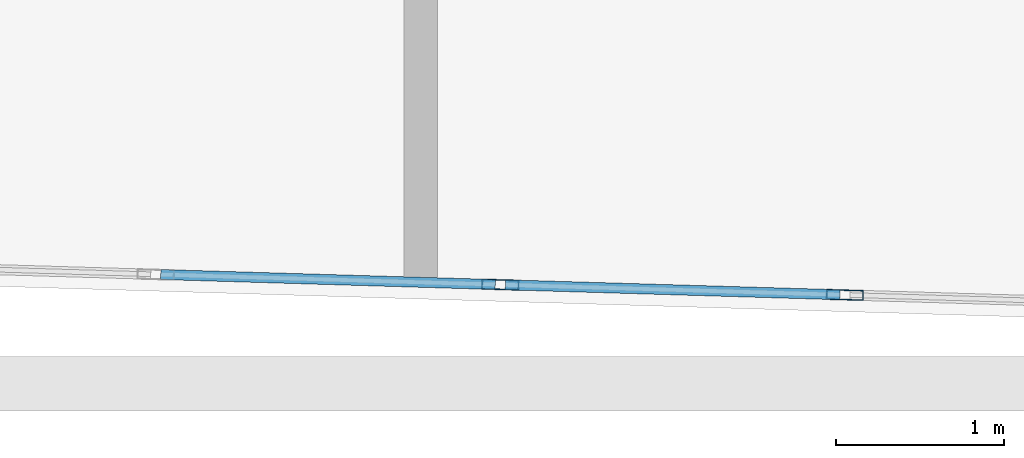
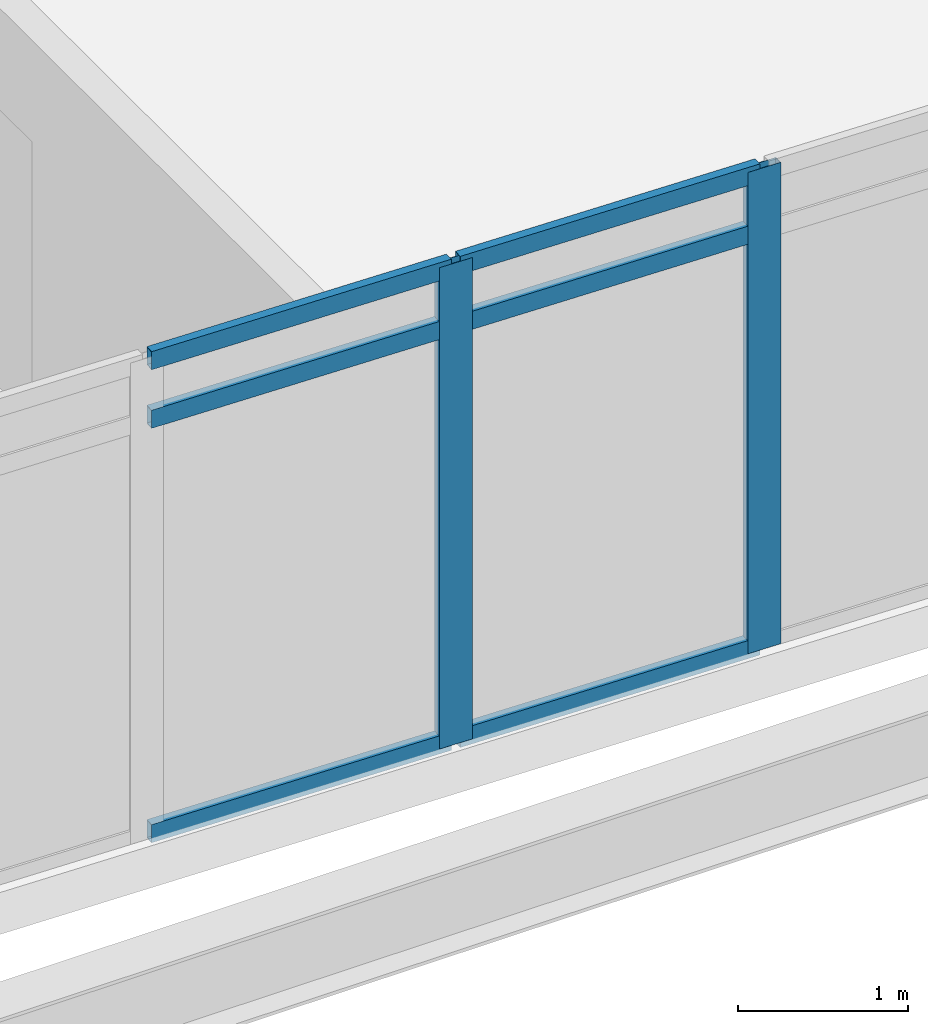
# One storey, part 3 of 28: 8 members, 1 element without a shape of its own.
"""IFC4 building model written with IfcOpenShell, lengths in metres."""

from ifc_helpers import new_model, si_unit, direction, frame, origin, origin_2d, place, context, subcontext, project, spatial, hollow_rectangle, extrude, material, material_profile, profile_set, type_object, element, aggregate, save


model = new_model("IFC4")

# Units and contexts
model_context = context("Model", 3, precision=1e-05, world=origin(), true_north=direction((0.0, 1.0)))
body_context = subcontext(model_context, "Body", "Model", "MODEL_VIEW")
ifc_project = project(units=[si_unit("LENGTHUNIT", "METRE"), si_unit("AREAUNIT", "SQUARE_METRE"), si_unit("VOLUMEUNIT", "CUBIC_METRE"), si_unit("PLANEANGLEUNIT", "RADIAN"), si_unit("MASSUNIT", "GRAM", prefix="KILO")], contexts=[model_context])

# Site, building, storey
site_placement = place(None, origin())
site = spatial("IfcSite", under=ifc_project, at=site_placement, CompositionType="ELEMENT")
building_placement = place(site_placement, origin())
building = spatial("IfcBuilding", under=site, at=building_placement, Name="Ostrander Bayou Hotel Tower", CompositionType="ELEMENT")
storey_placement = place(building_placement, frame((0.0, 0.0, 134.75)))
storey = spatial("IfcBuildingStorey", under=building, at=storey_placement, Name="L33", CompositionType="ELEMENT", Elevation=134.75)

# Curtain wall, members
ifc_material_1 = material(Name="Aluminium and clear glass", Category="aluminium")
curtain_wall_type = type_object("IfcCurtainWallType", Name="CW-BAR glazed wall", PredefinedType="NOTDEFINED", material=ifc_material_1)
curtain_wall_placement = place(storey_placement, origin())
curtain_wall = element("IfcCurtainWall", 1, at=curtain_wall_placement, inside=storey, type_object=curtain_wall_type, Name="CW-BAR L33:SB3S:T", PredefinedType="NOTDEFINED")
ifc_material_2 = material(Name="Aluminium", Category="aluminium")
ifc_material_profile_1 = material_profile(ifc_material_2, hollow_rectangle(XDim=0.06005859375, YDim=0.219970703125, WallThickness=0.00390625, at=origin_2d()))
ifc_profile_set_1 = profile_set([ifc_material_profile_1], Name="Aluminium")
member_type_1 = type_object("IfcMemberType", Name="CW-BR mullion 60 x 220 mm", PredefinedType="MULLION", material=ifc_profile_set_1)
member_1_placement = place(storey_placement, frame((-3.084716796875, -30.858154296875, 0.0), z_axis=(0.0, 0.0, 1.0), x_axis=(0.029746242041, 0.999557482631, 0.0)))
member_1 = element("IfcMember", 2, at=member_1_placement, type_object=member_type_1, Name="CW-BAR mullion 6", PredefinedType="MULLION", context=body_context, shape_type="SweptSolid", body=[
    extrude(hollow_rectangle(XDim=0.06005859375, YDim=0.219970703125, WallThickness=0.00390625, at=origin_2d()), origin(), (0.0, 0.0, 1.0), 3.449951171875),
])
member_2_placement = place(storey_placement, frame((-1.0283203125, -30.91943359375, 0.0), z_axis=(0.0, 0.0, 1.0), x_axis=(0.029746242041, 0.999557482631, 0.0)))
member_2 = element("IfcMember", 3, at=member_2_placement, type_object=member_type_1, Name="CW-BAR mullion 7", PredefinedType="MULLION", context=body_context, shape_type="SweptSolid", body=[
    extrude(hollow_rectangle(XDim=0.06005859375, YDim=0.219970703125, WallThickness=0.00390625, at=origin_2d()), origin(), (0.0, 0.0, 1.0), 3.449951171875),
])
ifc_material_3 = material(Name="Aluminium", Category="aluminium")
ifc_material_profile_2 = material_profile(ifc_material_3, hollow_rectangle(XDim=0.06005859375, YDim=0.1298828125, WallThickness=0.00390625, at=origin_2d()))
ifc_profile_set_2 = profile_set([ifc_material_profile_2], Name="Aluminium")
member_type_2 = type_object("IfcMemberType", Name="CW-BR transom 60 x 130 mm", PredefinedType="USERDEFINED", material=ifc_profile_set_2)
member_3_placement = place(storey_placement, frame((-5.111328125, -30.7978515625, 0.030029296875), z_axis=(0.999555199151, -0.029822874614, 0.0), x_axis=(0.029822874614, 0.999555199151, 0.0)))
member_3 = element("IfcMember", 4, at=member_3_placement, type_object=member_type_2, Name="CW-BAR transom 5.1", ObjectType="TRANSOM", PredefinedType="USERDEFINED", context=body_context, shape_type="SweptSolid", body=[
    extrude(hollow_rectangle(XDim=0.06005859375, YDim=0.1298828125, WallThickness=0.00390625, at=origin_2d()), origin(), (0.0, 0.0, 1.0), 1.99755859375),
])
member_4_placement = place(storey_placement, frame((-5.111328125, -30.7978515625, 3.0), z_axis=(0.999555199151, -0.029822874614, 0.0), x_axis=(0.029822874614, 0.999555199151, 0.0)))
member_4 = element("IfcMember", 5, at=member_4_placement, type_object=member_type_2, Name="CW-BAR transom 5.2", ObjectType="TRANSOM", PredefinedType="USERDEFINED", context=body_context, shape_type="SweptSolid", body=[
    extrude(hollow_rectangle(XDim=0.06005859375, YDim=0.1298828125, WallThickness=0.00390625, at=origin_2d()), origin(), (0.0, 0.0, 1.0), 1.99755859375),
])
member_5_placement = place(storey_placement, frame((-5.111328125, -30.7978515625, 3.419921875), z_axis=(0.999555199151, -0.029822874614, 0.0), x_axis=(0.029822874614, 0.999555199151, 0.0)))
member_5 = element("IfcMember", 6, at=member_5_placement, type_object=member_type_2, Name="CW-BAR transom 5.3", ObjectType="TRANSOM", PredefinedType="USERDEFINED", context=body_context, shape_type="SweptSolid", body=[
    extrude(hollow_rectangle(XDim=0.06005859375, YDim=0.1298828125, WallThickness=0.00390625, at=origin_2d()), origin(), (0.0, 0.0, 1.0), 1.99755859375),
])
member_6_placement = place(storey_placement, frame((-3.0546875, -30.859130859375, 0.030029296875), z_axis=(0.999558727342, -0.029704386785, 0.0), x_axis=(0.029704386785, 0.999558727342, 0.0)))
member_6 = element("IfcMember", 7, at=member_6_placement, type_object=member_type_2, Name="CW-BAR transom 6.1", ObjectType="TRANSOM", PredefinedType="USERDEFINED", context=body_context, shape_type="SweptSolid", body=[
    extrude(hollow_rectangle(XDim=0.06005859375, YDim=0.1298828125, WallThickness=0.00390625, at=origin_2d()), origin(), (0.0, 0.0, 1.0), 1.997314453125),
])
member_7_placement = place(storey_placement, frame((-3.0546875, -30.859130859375, 3.0), z_axis=(0.999558727342, -0.029704386785, 0.0), x_axis=(0.029704386785, 0.999558727342, 0.0)))
member_7 = element("IfcMember", 8, at=member_7_placement, type_object=member_type_2, Name="CW-BAR transom 6.2", ObjectType="TRANSOM", PredefinedType="USERDEFINED", context=body_context, shape_type="SweptSolid", body=[
    extrude(hollow_rectangle(XDim=0.06005859375, YDim=0.1298828125, WallThickness=0.00390625, at=origin_2d()), origin(), (0.0, 0.0, 1.0), 1.997314453125),
])
member_8_placement = place(storey_placement, frame((-3.0546875, -30.859130859375, 3.419921875), z_axis=(0.999558727342, -0.029704386785, 0.0), x_axis=(0.029704386785, 0.999558727342, 0.0)))
member_8 = element("IfcMember", 9, at=member_8_placement, type_object=member_type_2, Name="CW-BAR transom 6.3", ObjectType="TRANSOM", PredefinedType="USERDEFINED", context=body_context, shape_type="SweptSolid", body=[
    extrude(hollow_rectangle(XDim=0.06005859375, YDim=0.1298828125, WallThickness=0.00390625, at=origin_2d()), origin(), (0.0, 0.0, 1.0), 1.997314453125),
])
aggregate(curtain_wall, [member_1, member_2, member_3, member_4, member_5, member_6, member_7, member_8])

save(model, "model.ifc")
